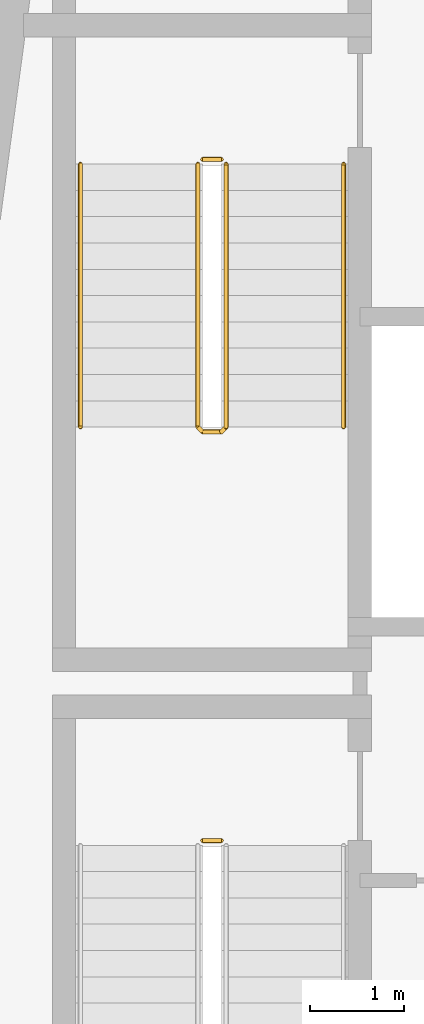
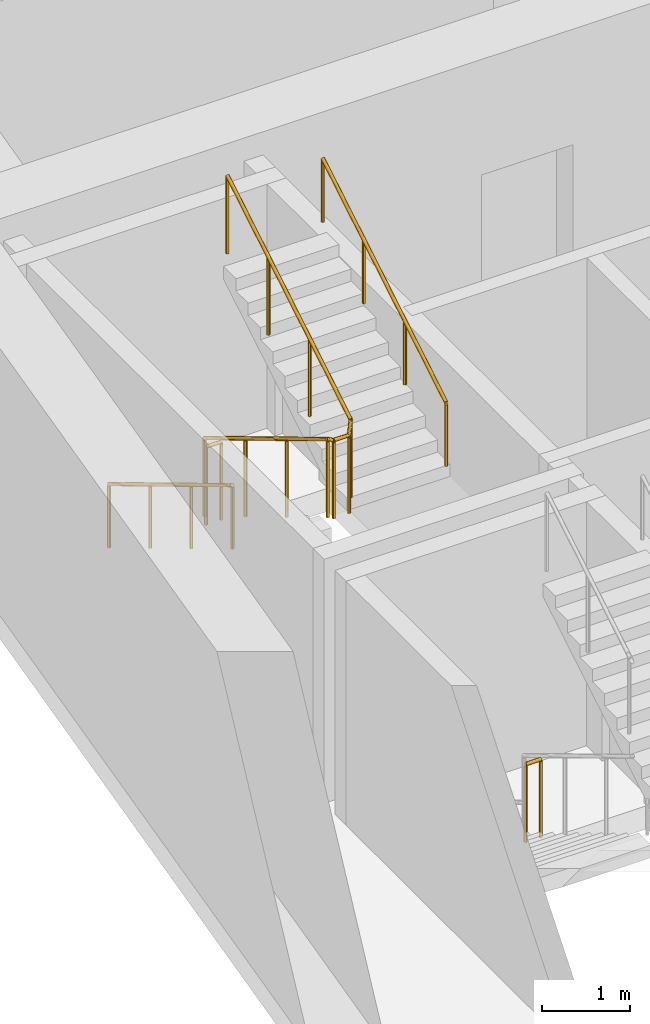
# One storey, part 10 of 13: 5 railings.
"""IFC4 building model written with IfcOpenShell, lengths in metres."""

from ifc_helpers import new_model, si_unit, direction, frame, origin, origin_2d, place, context, subcontext, project, spatial, circle, extrude, material, type_object, element, save


model = new_model("IFC4")

# Units and contexts
model_context = context("Model", 3, precision=1e-05, world=origin(), true_north=direction((0.0, 1.0)))
body_context = subcontext(model_context, "Body", "Model", "MODEL_VIEW")
ifc_project = project(units=[si_unit("LENGTHUNIT", "METRE"), si_unit("AREAUNIT", "SQUARE_METRE"), si_unit("VOLUMEUNIT", "CUBIC_METRE"), si_unit("PLANEANGLEUNIT", "RADIAN"), si_unit("MASSUNIT", "GRAM", prefix="KILO")], contexts=[model_context])

# Site, building, storey
site_placement = place(None, origin())
site = spatial("IfcSite", under=ifc_project, at=site_placement, CompositionType="ELEMENT")
building_placement = place(site_placement, origin())
building = spatial("IfcBuilding", under=site, at=building_placement, Name="Candeia Pilgrim Tower and Theatre", CompositionType="ELEMENT")
storey_placement = place(building_placement, frame((0.0, 0.0, 239.199951171875)))
storey = spatial("IfcBuildingStorey", under=building, at=storey_placement, Name="L58", CompositionType="ELEMENT", Elevation=239.199951171875)

# Railings
ifc_material_1 = material(Name="Stainless steel balustrade", Category="steel")
railing_type_1 = type_object("IfcRailingType", Name="RL-GUARD-1100", PredefinedType="GUARDRAIL", material=ifc_material_1)
railing_1_placement = place(storey_placement, frame((91.152099609375, 122.52490234375, 0.0)))
element("IfcRailing", 1, at=railing_1_placement, inside=storey, type_object=railing_type_1, Name="L58 ST1 stair guard 2", PredefinedType="GUARDRAIL", context=body_context, shape_type="SweptSolid", body=[
    extrude(circle(Radius=0.02392578125, at=origin_2d()), frame((0.0, 0.0, 1.076171875), z_axis=(1.0, 0.0, 0.0), x_axis=(0.0, 1.0, 0.0)), (0.0, 0.0, 1.0), 0.199951171875),
    extrude(circle(Radius=0.02099609375, at=origin_2d()), origin(), (0.0, 0.0, 1.0), 1.052001953125),
    extrude(circle(Radius=0.02099609375, at=origin_2d()), frame((0.199951171875, 0.0, 0.0)), (0.0, 0.0, 1.0), 1.052001953125),
])
railing_2_placement = place(storey_placement, frame((91.10205078125, 129.72509765625, 0.168212890625)))
element("IfcRailing", 2, at=railing_2_placement, inside=storey, type_object=railing_type_1, Name="L58 ST2 stair guard 1", PredefinedType="GUARDRAIL", context=body_context, shape_type="SweptSolid", body=[
    extrude(circle(Radius=0.02392578125, at=origin_2d()), frame((0.0, 0.0, 1.076171875), z_axis=(0.0, -0.857242210791, 0.514913383045), x_axis=(1.0, 0.0, 0.0)), (0.0, 0.0, 1.0), 3.266357421875),
    extrude(circle(Radius=0.02392578125, at=origin_2d()), frame((0.0, -2.800048828125, 2.7578125), z_axis=(0.707106781187, -0.707106781187, 0.0), x_axis=(0.707106781187, 0.707106781187, 0.0)), (0.0, 0.0, 1.0), 0.07080078125),
    extrude(circle(Radius=0.02392578125, at=origin_2d()), frame((0.050048828125, -2.85009765625, 2.7578125), z_axis=(1.0, 0.0, 0.0), x_axis=(0.0, 1.0, 0.0)), (0.0, 0.0, 1.0), 0.199951171875),
    extrude(circle(Radius=0.02392578125, at=origin_2d()), frame((0.25, -2.85009765625, 2.7578125), z_axis=(0.274243871929, 0.274243871929, 0.92172696468), x_axis=(-0.707106781187, 0.707106781187, 0.0)), (0.0, 0.0, 1.0), 0.1826171875),
    extrude(circle(Radius=0.02392578125, at=origin_2d()), frame((0.300048828125, -2.800048828125, 2.92626953125), z_axis=(0.0, 0.857275202839, 0.514858452973), x_axis=(-1.0, 0.0, 0.0)), (0.0, 0.0, 1.0), 3.26611328125),
    extrude(circle(Radius=0.02099609375, at=origin_2d()), origin(), (0.0, 0.0, 1.0), 1.052001953125),
    extrude(circle(Radius=0.02099609375, at=origin_2d()), frame((0.0, -0.933349609375, 0.560546875)), (0.0, 0.0, 1.0), 1.052001953125),
    extrude(circle(Radius=0.02099609375, at=origin_2d()), frame((0.0, -1.86669921875, 1.121337890625)), (0.0, 0.0, 1.0), 1.052001953125),
    extrude(circle(Radius=0.02099609375, at=origin_2d()), frame((0.0, -2.800048828125, 1.681884765625)), (0.0, 0.0, 1.0), 1.052001953125),
    extrude(circle(Radius=0.02099609375, at=origin_2d()), frame((0.050048828125, -2.85009765625, 1.681884765625)), (0.0, 0.0, 1.0), 1.052001953125),
    extrude(circle(Radius=0.02099609375, at=origin_2d()), frame((0.25, -2.85009765625, 1.681884765625)), (0.0, 0.0, 1.0), 1.052001953125),
    extrude(circle(Radius=0.02099609375, at=origin_2d()), frame((0.300048828125, -2.800048828125, 1.85009765625)), (0.0, 0.0, 1.0), 1.052001953125),
    extrude(circle(Radius=0.02099609375, at=origin_2d()), frame((0.300048828125, -1.86669921875, 2.41064453125)), (0.0, 0.0, 1.0), 1.052001953125),
    extrude(circle(Radius=0.02099609375, at=origin_2d()), frame((0.300048828125, -0.933349609375, 2.97119140625)), (0.0, 0.0, 1.0), 1.052001953125),
    extrude(circle(Radius=0.02099609375, at=origin_2d()), frame((0.300048828125, 0.0, 3.53173828125)), (0.0, 0.0, 1.0), 1.052001953125),
])
railing_3_placement = place(storey_placement, frame((91.152099609375, 129.77490234375, 0.0)))
element("IfcRailing", 3, at=railing_3_placement, inside=storey, type_object=railing_type_1, Name="L58 ST2 stair guard 2", PredefinedType="GUARDRAIL", context=body_context, shape_type="SweptSolid", body=[
    extrude(circle(Radius=0.02392578125, at=origin_2d()), frame((0.0, 0.0, 1.076171875), z_axis=(1.0, 0.0, 0.0), x_axis=(0.0, 1.0, 0.0)), (0.0, 0.0, 1.0), 0.199951171875),
    extrude(circle(Radius=0.02099609375, at=origin_2d()), origin(), (0.0, 0.0, 1.0), 1.052001953125),
    extrude(circle(Radius=0.02099609375, at=origin_2d()), frame((0.199951171875, 0.0, 0.0)), (0.0, 0.0, 1.0), 1.052001953125),
])
ifc_material_2 = material(Name="Stainless steel handrail", Category="steel")
railing_type_2 = type_object("IfcRailingType", Name="RL-HANDRAIL-900", PredefinedType="HANDRAIL", material=ifc_material_2)
railing_4_placement = place(storey_placement, frame((89.85205078125, 129.72509765625, 0.168212890625)))
element("IfcRailing", 4, at=railing_4_placement, inside=storey, type_object=railing_type_2, Name="L58 ST2 stair handrail 1", PredefinedType="HANDRAIL", context=body_context, shape_type="SweptSolid", body=[
    extrude(circle(Radius=0.02392578125, at=origin_2d()), frame((0.0, 0.0, 0.8759765625), z_axis=(0.0, -0.857242210791, 0.514913383045), x_axis=(1.0, 0.0, 0.0)), (0.0, 0.0, 1.0), 3.266357421875),
    extrude(circle(Radius=0.02099609375, at=origin_2d()), origin(), (0.0, 0.0, 1.0), 0.851806640625),
    extrude(circle(Radius=0.02099609375, at=origin_2d()), frame((0.0, -0.933349609375, 0.560546875)), (0.0, 0.0, 1.0), 0.851806640625),
    extrude(circle(Radius=0.02099609375, at=origin_2d()), frame((0.0, -1.86669921875, 1.121337890625)), (0.0, 0.0, 1.0), 0.851806640625),
    extrude(circle(Radius=0.02099609375, at=origin_2d()), frame((0.0, -2.800048828125, 1.681884765625)), (0.0, 0.0, 1.0), 0.851806640625),
])
railing_5_placement = place(storey_placement, frame((92.652099609375, 126.925048828125, 2.018310546875)))
element("IfcRailing", 5, at=railing_5_placement, inside=storey, type_object=railing_type_2, Name="L58 ST2 stair handrail 2", PredefinedType="HANDRAIL", context=body_context, shape_type="SweptSolid", body=[
    extrude(circle(Radius=0.02392578125, at=origin_2d()), frame((0.0, 0.0, 0.8759765625), z_axis=(0.0, 0.857275202839, 0.514858452973), x_axis=(-1.0, 0.0, 0.0)), (0.0, 0.0, 1.0), 3.26611328125),
    extrude(circle(Radius=0.02099609375, at=origin_2d()), origin(), (0.0, 0.0, 1.0), 0.851806640625),
    extrude(circle(Radius=0.02099609375, at=origin_2d()), frame((0.0, 0.933349609375, 0.560546875)), (0.0, 0.0, 1.0), 0.851806640625),
    extrude(circle(Radius=0.02099609375, at=origin_2d()), frame((0.0, 1.86669921875, 1.12109375)), (0.0, 0.0, 1.0), 0.851806640625),
    extrude(circle(Radius=0.02099609375, at=origin_2d()), frame((0.0, 2.800048828125, 1.681640625)), (0.0, 0.0, 1.0), 0.851806640625),
])

save(model, "model.ifc")
